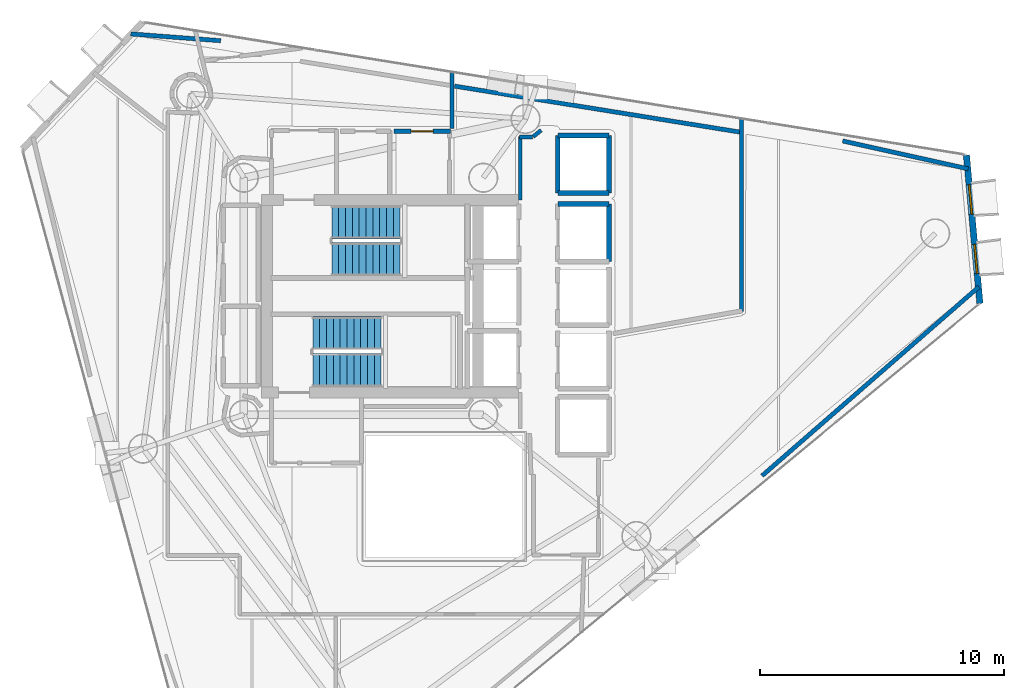
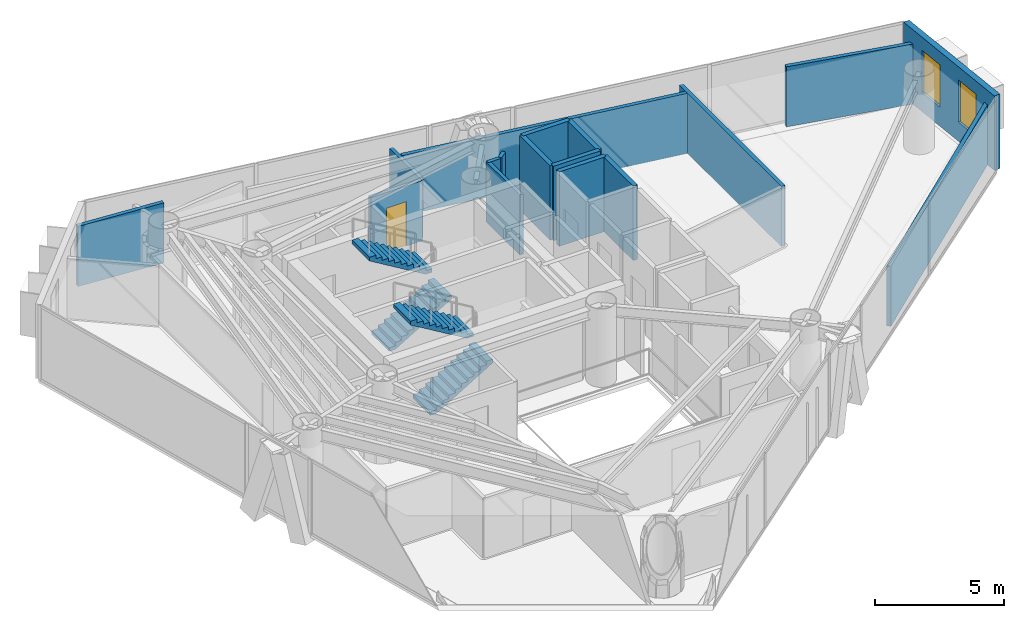
# One storey, part 18 of 21: 17 walls, 4 stair flights, 2 windows, 1 door, 3 openings, 2 elements without a shape of their own.
"""IFC4 building model written with IfcOpenShell, lengths in metres."""

from ifc_helpers import new_model, si_unit, direction, frame, frame_2d, origin, place, context, subcontext, project, spatial, polyline, rectangle, outline, extrude, material, layer, layer_set, type_object, element, fill, aggregate, save


model = new_model("IFC4")

# Units and contexts
model_context = context("Model", 3, precision=1e-05, world=origin(), true_north=direction((0.0, 1.0)))
body_context = subcontext(model_context, "Body", "Model", "MODEL_VIEW")
ifc_project = project(units=[si_unit("LENGTHUNIT", "METRE"), si_unit("AREAUNIT", "SQUARE_METRE"), si_unit("VOLUMEUNIT", "CUBIC_METRE"), si_unit("PLANEANGLEUNIT", "RADIAN"), si_unit("MASSUNIT", "GRAM", prefix="KILO")], contexts=[model_context])

# Site, building, storey
site_placement = place(None, origin())
site = spatial("IfcSite", under=ifc_project, at=site_placement, CompositionType="ELEMENT")
building_placement = place(site_placement, origin())
building = spatial("IfcBuilding", under=site, at=building_placement, Name="Qianvela Tower", CompositionType="ELEMENT")
storey_placement = place(building_placement, frame((0.0, 0.0, 211.39990234375)))
storey = spatial("IfcBuildingStorey", under=building, at=storey_placement, Name="L54", CompositionType="ELEMENT", Elevation=211.39990234375)

# Wall, openings, windows
ifc_material_1 = material(Name="Terracotta Cladding on Concrete C40", Category="masonry")
ifc_layer_1 = layer(ifc_material_1, 0.260009765625)
ifc_layer_set_1 = layer_set([ifc_layer_1], Name="Terracotta Cladding on Concrete C40")
wall_type_1 = type_object("IfcWallType", Name="TERRACOTTA-WALL-260", PredefinedType="SOLIDWALL", material=ifc_layer_set_1)
wall_1_placement = place(storey_placement, frame((58.729248046875, 28.405029296875, 0.0), z_axis=(0.0, 0.0, 1.0), x_axis=(-0.090211111085, 0.99592266539, 0.0)))
wall_1 = element("IfcWall", 1, at=wall_1_placement, inside=storey, type_object=wall_type_1, Name="L54 Terracotta Chamfer Facet Wall 1", PredefinedType="SOLIDWALL", context=body_context, shape_type="SweptSolid", body=[
    extrude(rectangle(XDim=6.102783203125, YDim=0.260009765625, at=frame_2d((3.05126953125, 0.0))), origin(), (0.0, 0.0, 1.0), 3.52001953125),
])
opening_1_placement = place(wall_1_placement, frame((1.230712890625, 0.0, 0.89990234375)))
opening_1 = element("IfcOpeningElement", 2, at=opening_1_placement, cuts=wall_1, Name="Opening W-03", PredefinedType="OPENING", context=body_context, shape_type="SweptSolid", body=[
    extrude(rectangle(XDim=1.199951171875, YDim=2.0, at=frame_2d((0.60009765625, 1.0))), frame((0.0, 0.139892578125, 0.0), z_axis=(0.0, -1.0, 0.0), x_axis=(1.0, 0.0, 0.0)), (0.0, 0.0, 1.0), 0.280029296875),
])
opening_2_placement = place(wall_1_placement, frame((3.672119140625, 0.0, 0.89990234375)))
opening_2 = element("IfcOpeningElement", 3, at=opening_2_placement, cuts=wall_1, Name="Opening W-03", PredefinedType="OPENING", context=body_context, shape_type="SweptSolid", body=[
    extrude(rectangle(XDim=1.199951171875, YDim=2.0, at=frame_2d((0.60009765625, 1.0))), frame((0.0, 0.139892578125, 0.0), z_axis=(0.0, -1.0, 0.0), x_axis=(1.0, 0.0, 0.0)), (0.0, 0.0, 1.0), 0.280029296875),
])
ifc_material_2 = material(Name="Thermally Broken Aluminium and Low-E Glass", Category="aluminium")
window_type = type_object("IfcWindowType", Name="WIN-TC-1200x2000", PartitioningType="SINGLE_PANEL", PredefinedType="WINDOW", material=ifc_material_2)
window_1_placement = place(opening_1_placement, origin())
window_1 = element("IfcWindow", 4, at=window_1_placement, inside=storey, type_object=window_type, Name="L54 Chamfer Facet Window 1.1", OverallHeight=2.0, OverallWidth=1.199951171875, PartitioningType="SINGLE_PANEL", PredefinedType="WINDOW", context=body_context, shape_type="SweptSolid", body=[
    extrude(rectangle(XDim=1.199951171875, YDim=2.0, at=frame_2d((0.60009765625, 1.0))), frame((0.0, 0.030029296875, 0.0), z_axis=(0.0, -1.0, 0.0), x_axis=(1.0, 0.0, 0.0)), (0.0, 0.0, 1.0), 0.06005859375),
])
fill(opening_1, window_1)
window_2_placement = place(opening_2_placement, origin())
window_2 = element("IfcWindow", 5, at=window_2_placement, inside=storey, type_object=window_type, Name="L54 Chamfer Facet Window 1.2", OverallHeight=2.0, OverallWidth=1.199951171875, PartitioningType="SINGLE_PANEL", PredefinedType="WINDOW", context=body_context, shape_type="SweptSolid", body=[
    extrude(rectangle(XDim=1.199951171875, YDim=2.0, at=frame_2d((0.60009765625, 1.0))), frame((0.0, 0.030029296875, 0.0), z_axis=(0.0, -1.0, 0.0), x_axis=(1.0, 0.0, 0.0)), (0.0, 0.0, 1.0), 0.06005859375),
])
fill(opening_2, window_2)

# Walls
ifc_material_3 = material(Name="Fire-Rated Gypsum and Concrete Block", Category="concrete")
ifc_layer_2 = layer(ifc_material_3, 0.159912109375)
ifc_layer_set_2 = layer_set([ifc_layer_2], Name="Fire-Rated Gypsum and Concrete Block")
wall_type_2 = type_object("IfcWallType", Name="WT-CORR-160", PredefinedType="PARTITIONING", material=ifc_layer_set_2)
wall_2_placement = place(storey_placement, frame((39.910888671875, 32.639892578125, 0.0), z_axis=(0.0, 0.0, 1.0), x_axis=(0.0, 1.0, 0.0)))
element("IfcWall", 6, at=wall_2_placement, inside=storey, type_object=wall_type_2, Name="L54 Partition 12", PredefinedType="PARTITIONING", context=body_context, shape_type="SweptSolid", body=[
    extrude(rectangle(XDim=2.60400390625, YDim=0.159912109375, at=frame_2d((1.302001953125, 0.0))), origin(), (0.0, 0.0, 1.0), 2.840087890625),
])
wall_3_placement = place(storey_placement, frame((39.880615234375, 35.212890625, 0.0), z_axis=(0.0, 0.0, 1.0), x_axis=(0.999756500784, 0.02206669754, 0.0)))
element("IfcWall", 7, at=wall_3_placement, inside=storey, type_object=wall_type_2, Name="L54 Partition 13", PredefinedType="PARTITIONING", context=body_context, shape_type="SweptSolid", body=[
    extrude(rectangle(XDim=0.542236328125, YDim=0.159912109375, at=frame_2d((0.27099609375, 0.0))), origin(), (0.0, 0.0, 1.0), 2.840087890625),
])
wall_4_placement = place(storey_placement, frame((40.44140625, 35.231689453125, 0.0), z_axis=(0.0, 0.0, 1.0), x_axis=(0.778714564707, 0.627378376033, 0.0)))
element("IfcWall", 8, at=wall_4_placement, inside=storey, type_object=wall_type_2, Name="L54 Partition 14", PredefinedType="PARTITIONING", context=body_context, shape_type="SweptSolid", body=[
    extrude(rectangle(XDim=0.421142578125, YDim=0.159912109375, at=frame_2d((0.21044921875, 0.0))), origin(), (0.0, 0.0, 1.0), 2.840087890625),
])
wall_5_placement = place(storey_placement, frame((37.118896484375, 37.89599609375, 0.0), z_axis=(0.0, 0.0, 1.0), x_axis=(0.0, -1.0, 0.0)))
element("IfcWall", 9, at=wall_5_placement, inside=storey, type_object=wall_type_2, Name="L54 Partition 57 seg 1", PredefinedType="PARTITIONING", context=body_context, shape_type="SweptSolid", body=[
    extrude(rectangle(XDim=2.3359375, YDim=0.159912109375, at=frame_2d((1.16796875, 0.0))), origin(), (0.0, 0.0, 1.0), 2.840087890625),
])

# Wall, opening, door
ifc_material_4 = material(Name="Moisture-Resistant Acoustic Plumbing Wall")
ifc_layer_3 = layer(ifc_material_4, 0.175048828125)
ifc_layer_set_3 = layer_set([ifc_layer_3], Name="Moisture-Resistant Acoustic Plumbing Wall")
wall_type_3 = type_object("IfcWallType", Name="WT-PLUMB-175", PredefinedType="PLUMBINGWALL", material=ifc_layer_set_3)
wall_6_placement = place(storey_placement, frame((34.75, 35.448974609375, 0.0), z_axis=(0.0, 0.0, 1.0), x_axis=(1.0, 0.0, 0.0)))
wall_6 = element("IfcWall", 10, at=wall_6_placement, inside=storey, type_object=wall_type_3, Name="L54 Partition 26", PredefinedType="PLUMBINGWALL", context=body_context, shape_type="SweptSolid", body=[
    extrude(rectangle(XDim=2.300048828125, YDim=0.175048828125, at=frame_2d((1.14990234375, 0.0))), origin(), (0.0, 0.0, 1.0), 2.840087890625),
])
opening_3_placement = place(wall_6_placement, frame((0.699951171875, 0.0, 0.0)))
opening_3 = element("IfcOpeningElement", 11, at=opening_3_placement, cuts=wall_6, Name="Opening D-KT1", PredefinedType="OPENING", context=body_context, shape_type="SweptSolid", body=[
    extrude(rectangle(XDim=0.89990234375, YDim=2.10009765625, at=frame_2d((0.449951171875, 1.050048828125))), frame((0.0, 0.097412109375, 0.0), z_axis=(0.0, -1.0, 0.0), x_axis=(1.0, 0.0, 0.0)), (0.0, 0.0, 1.0), 0.195068359375),
])
ifc_material_5 = material(Name="Glazed Timber Kitchen Door", Category="wood")
door_type = type_object("IfcDoorType", Name="DT-KITCH-900", OperationType="NOTDEFINED", PredefinedType="DOOR", material=ifc_material_5)
door_placement = place(opening_3_placement, origin())
door = element("IfcDoor", 12, at=door_placement, inside=storey, type_object=door_type, Name="L54 Door L54 Core Tea Pantry to L54 Floor Corridor", OperationType="SINGLE_SWING_RIGHT", OverallHeight=2.10009765625, OverallWidth=0.89990234375, PredefinedType="DOOR", context=body_context, shape_type="SweptSolid", body=[
    extrude(rectangle(XDim=0.89990234375, YDim=2.10009765625, at=frame_2d((0.449951171875, 1.050048828125))), frame((0.0, 0.02490234375, 0.0), z_axis=(0.0, -1.0, 0.0), x_axis=(1.0, 0.0, 0.0)), (0.0, 0.0, 1.0), 0.050048828125),
])
fill(opening_3, door)

# Walls
wall_7_placement = place(storey_placement, frame((37.22509765625, 37.30078125, 0.0), z_axis=(0.0, 0.0, 1.0), x_axis=(0.987268097612, -0.159065091827, 0.0)))
element("IfcWall", 13, at=wall_7_placement, inside=storey, type_object=wall_type_3, Name="L54 Partition 113 seg 1", PredefinedType="PLUMBINGWALL", context=body_context, shape_type="SweptSolid", body=[
    extrude(rectangle(XDim=11.92578125, YDim=0.175048828125, at=frame_2d((5.962890625, 0.0))), origin(), (0.0, 0.0, 1.0), 2.840087890625),
])
wall_8_placement = place(storey_placement, frame((48.972900390625, 35.986083984375, 0.0), z_axis=(0.0, 0.0, 1.0), x_axis=(0.0, -1.0, 0.0)))
element("IfcWall", 14, at=wall_8_placement, inside=storey, type_object=wall_type_3, Name="L54 Partition 114", PredefinedType="PLUMBINGWALL", context=body_context, shape_type="SweptSolid", body=[
    extrude(rectangle(XDim=7.9150390625, YDim=0.175048828125, at=frame_2d((3.95751953125, 0.0))), origin(), (0.0, 0.0, 1.0), 2.840087890625),
])
wall_9_placement = place(storey_placement, frame((23.9677734375, 39.43701171875, 0.0), z_axis=(0.0, 0.0, 1.0), x_axis=(0.997153162086, -0.075402727678, 0.0)))
element("IfcWall", 15, at=wall_9_placement, inside=storey, type_object=wall_type_3, Name="L54 Partition 126 seg 1", PredefinedType="PLUMBINGWALL", context=body_context, shape_type="SweptSolid", body=[
    extrude(rectangle(XDim=3.6943359375, YDim=0.175048828125, at=frame_2d((1.84716796875, 0.0))), origin(), (0.0, 0.0, 1.0), 2.840087890625),
])
wall_10_placement = place(storey_placement, frame((53.1123046875, 35.05615234375, 0.0), z_axis=(0.0, 0.0, 1.0), x_axis=(0.97614010372, -0.217141654019, 0.0)))
element("IfcWall", 16, at=wall_10_placement, inside=storey, type_object=wall_type_3, Name="L54 Partition 135 seg 1", PredefinedType="PLUMBINGWALL", context=body_context, shape_type="SweptSolid", body=[
    extrude(rectangle(XDim=5.262939453125, YDim=0.175048828125, at=frame_2d((2.63134765625, 0.0))), origin(), (0.0, 0.0, 1.0), 2.840087890625),
])
wall_11_placement = place(storey_placement, frame((58.6845703125, 29.08251953125, 0.0), z_axis=(0.0, 0.0, 1.0), x_axis=(-0.753948689731, -0.656933309593, 0.0)))
element("IfcWall", 17, at=wall_11_placement, inside=storey, type_object=wall_type_3, Name="L54 Partition 137 seg 1", PredefinedType="PLUMBINGWALL", context=body_context, shape_type="SweptSolid", body=[
    extrude(rectangle(XDim=11.769775390625, YDim=0.175048828125, at=frame_2d((5.884765625, 0.0))), origin(), (0.0, 0.0, 1.0), 2.840087890625),
])
ifc_material_6 = material(Name="Concrete C50", Category="concrete")
ifc_layer_4 = layer(ifc_material_6, 0.199951171875)
ifc_layer_set_4 = layer_set([ifc_layer_4], Name="Concrete C50")
wall_type_4 = type_object("IfcWallType", Name="WT-SHAFT-200", PredefinedType="SOLIDWALL", material=ifc_layer_set_4)
wall_12_placement = place(storey_placement, frame((43.550048828125, 30.1201171875, 0.0), z_axis=(0.0, 0.0, 1.0), x_axis=(0.0, 1.0, 0.0)))
element("IfcWall", 18, at=wall_12_placement, inside=storey, type_object=wall_type_4, Name="L54 Lift PL-M1 E Shaft Wall", PredefinedType="SOLIDWALL", context=body_context, shape_type="SweptSolid", body=[
    extrude(rectangle(XDim=2.35986328125, YDim=0.199951171875, at=frame_2d((1.179931640625, 0.0))), origin(), (0.0, 0.0, 1.0), 3.52001953125),
])
wall_13_placement = place(storey_placement, frame((41.449951171875, 32.47998046875, 0.0), z_axis=(0.0, 0.0, 1.0), x_axis=(1.0, 0.0, 0.0)))
element("IfcWall", 19, at=wall_13_placement, inside=storey, type_object=wall_type_4, Name="L54 Lift PL-M1 N Shaft Wall", PredefinedType="SOLIDWALL", context=body_context, shape_type="SweptSolid", body=[
    extrude(rectangle(XDim=2.10009765625, YDim=0.199951171875, at=frame_2d((1.050048828125, 0.0))), origin(), (0.0, 0.0, 1.0), 3.52001953125),
])
for number, where, z_axis, x_axis, name in (
    (20, (43.550048828125, 32.919921875, 0.0), (0.0, 0.0, 1.0), (0.0, 1.0, 0.0), "L54 Lift PL-H3 E Shaft Wall"),
    (21, (41.449951171875, 32.919921875, 0.0), (0.0, 0.0, 1.0), (0.0, 1.0, 0.0), "L54 Lift PL-H3 W Shaft Wall"),
):
    element("IfcWall", number, at=place(storey_placement, frame(where, z_axis=z_axis, x_axis=x_axis)), inside=storey, type_object=wall_type_4, Name=name, PredefinedType="SOLIDWALL", context=body_context, shape_type="SweptSolid", body=[
        extrude(rectangle(XDim=2.360107421875, YDim=0.199951171875, at=frame_2d((1.18017578125, 0.0))), origin(), (0.0, 0.0, 1.0), 3.52001953125),
    ])
for number, where, z_axis, x_axis, name in (
    (22, (41.449951171875, 35.280029296875, 0.0), (0.0, 0.0, 1.0), (1.0, 0.0, 0.0), "L54 Lift PL-H3 N Shaft Wall"),
    (23, (41.449951171875, 32.919921875, 0.0), (0.0, 0.0, 1.0), (1.0, 0.0, 0.0), "L54 Lift PL-H3 S Shaft Wall"),
):
    element("IfcWall", number, at=place(storey_placement, frame(where, z_axis=z_axis, x_axis=x_axis)), inside=storey, type_object=wall_type_4, Name=name, PredefinedType="SOLIDWALL", context=body_context, shape_type="SweptSolid", body=[
        extrude(rectangle(XDim=2.10009765625, YDim=0.199951171875, at=frame_2d((1.050048828125, 0.0))), origin(), (0.0, 0.0, 1.0), 3.52001953125),
    ])

# Stair, stair flights
ifc_material_7 = material(Name="Concrete C40", Category="concrete")
stair_type = type_object("IfcStairType", Name="ST-DOGLEG-1350-R168-N22", PredefinedType="HALF_TURN_STAIR", material=ifc_material_7)
stair_1_placement = place(storey_placement, origin())
stair_1 = element("IfcStair", 24, at=stair_1_placement, inside=storey, type_object=stair_type, Name="L54 Smoke-Proof Core Stair ST-1", PredefinedType="HALF_TURN_STAIR")
ifc_material_8 = material(Name="Concrete C40", Category="concrete")
stair_flight_type = type_object("IfcStairFlightType", Name="STF-STRAIGHT-R168-P11", PredefinedType="STRAIGHT", material=ifc_material_8)
stair_flight_1_placement = place(storey_placement, frame((32.199951171875, 30.215087890625, 0.0), z_axis=(0.0, 0.0, 1.0), x_axis=(1.0, 0.0, 0.0)))
stair_flight_1 = element("IfcStairFlight", 25, at=stair_flight_1_placement, type_object=stair_flight_type, Name="ST-1 flight 1", NumberOfRisers=11, NumberOfTreads=10, PredefinedType="STRAIGHT", RiserHeight=0.168181818, TreadLength=0.28, context=body_context, shape_type="SweptSolid", body=[
    extrude(outline(polyline([(0.0, 0.0), (0.0, 0.168212890625), (0.280029296875, 0.168212890625), (0.280029296875, 0.33642578125), (0.56005859375, 0.33642578125), (0.56005859375, 0.504638671875), (0.840087890625, 0.504638671875), (0.840087890625, 0.672607421875), (1.1201171875, 0.672607421875), (1.1201171875, 0.8408203125), (1.39990234375, 0.8408203125), (1.39990234375, 1.009033203125), (1.679931640625, 1.009033203125), (1.679931640625, 1.17724609375), (1.9599609375, 1.17724609375), (1.9599609375, 1.345458984375), (2.239990234375, 1.345458984375), (2.239990234375, 1.513671875), (2.52001953125, 1.513671875), (2.52001953125, 1.681884765625), (2.800048828125, 1.681884765625), (2.800048828125, 1.85009765625), (2.800048828125, 1.5068359375), (0.291015625, 0.0), (0.0, 0.0)])), frame((0.0, 0.675048828125, 0.0), z_axis=(0.0, -1.0, 0.0), x_axis=(1.0, 0.0, 0.0)), (0.0, 0.0, 1.0), 1.35009765625),
])
stair_flight_2_placement = place(storey_placement, frame((35.0, 31.72509765625, 1.85009765625), z_axis=(0.0, 0.0, 1.0), x_axis=(-1.0, 0.0, 0.0)))
stair_flight_2 = element("IfcStairFlight", 26, at=stair_flight_2_placement, type_object=stair_flight_type, Name="ST-1 flight 2", NumberOfRisers=11, NumberOfTreads=10, PredefinedType="STRAIGHT", RiserHeight=0.168181818, TreadLength=0.28, context=body_context, shape_type="SweptSolid", body=[
    extrude(outline(polyline([(0.0, 0.0), (0.0, 0.168212890625), (0.280029296875, 0.168212890625), (0.280029296875, 0.33642578125), (0.56005859375, 0.33642578125), (0.56005859375, 0.504638671875), (0.840087890625, 0.504638671875), (0.840087890625, 0.672607421875), (1.1201171875, 0.672607421875), (1.1201171875, 0.8408203125), (1.39990234375, 0.8408203125), (1.39990234375, 1.009033203125), (1.679931640625, 1.009033203125), (1.679931640625, 1.17724609375), (1.9599609375, 1.17724609375), (1.9599609375, 1.345458984375), (2.239990234375, 1.345458984375), (2.239990234375, 1.513671875), (2.52001953125, 1.513671875), (2.52001953125, 1.681884765625), (2.800048828125, 1.681884765625), (2.800048828125, 1.85009765625), (2.800048828125, 1.5068359375), (0.291015625, 0.0), (0.0, 0.0)])), frame((0.0, 0.675048828125, 0.0), z_axis=(0.0, -1.0, 0.0), x_axis=(1.0, 0.0, 0.0)), (0.0, 0.0, 1.0), 1.35009765625),
])
aggregate(stair_1, [stair_flight_1, stair_flight_2])

stair_2_placement = place(storey_placement, origin())
stair_2 = element("IfcStair", 27, at=stair_2_placement, inside=storey, type_object=stair_type, Name="L54 Smoke-Proof Core Stair ST-2", PredefinedType="HALF_TURN_STAIR")
stair_flight_3_placement = place(storey_placement, frame((31.419921875, 25.675048828125, 0.0), z_axis=(0.0, 0.0, 1.0), x_axis=(1.0, 0.0, 0.0)))
stair_flight_3 = element("IfcStairFlight", 28, at=stair_flight_3_placement, type_object=stair_flight_type, Name="ST-2 flight 1", NumberOfRisers=11, NumberOfTreads=10, PredefinedType="STRAIGHT", RiserHeight=0.168181818, TreadLength=0.28, context=body_context, shape_type="SweptSolid", body=[
    extrude(outline(polyline([(0.0, 0.0), (0.0, 0.168212890625), (0.280029296875, 0.168212890625), (0.280029296875, 0.33642578125), (0.56005859375, 0.33642578125), (0.56005859375, 0.504638671875), (0.840087890625, 0.504638671875), (0.840087890625, 0.672607421875), (1.1201171875, 0.672607421875), (1.1201171875, 0.8408203125), (1.39990234375, 0.8408203125), (1.39990234375, 1.009033203125), (1.679931640625, 1.009033203125), (1.679931640625, 1.17724609375), (1.9599609375, 1.17724609375), (1.9599609375, 1.345458984375), (2.239990234375, 1.345458984375), (2.239990234375, 1.513671875), (2.52001953125, 1.513671875), (2.52001953125, 1.681884765625), (2.800048828125, 1.681884765625), (2.800048828125, 1.85009765625), (2.800048828125, 1.5068359375), (0.291015625, 0.0), (0.0, 0.0)])), frame((0.0, 0.675048828125, 0.0), z_axis=(0.0, -1.0, 0.0), x_axis=(1.0, 0.0, 0.0)), (0.0, 0.0, 1.0), 1.35009765625),
])
stair_flight_4_placement = place(storey_placement, frame((34.219970703125, 27.18505859375, 1.85009765625), z_axis=(0.0, 0.0, 1.0), x_axis=(-1.0, 0.0, 0.0)))
stair_flight_4 = element("IfcStairFlight", 29, at=stair_flight_4_placement, type_object=stair_flight_type, Name="ST-2 flight 2", NumberOfRisers=11, NumberOfTreads=10, PredefinedType="STRAIGHT", RiserHeight=0.168181818, TreadLength=0.28, context=body_context, shape_type="SweptSolid", body=[
    extrude(outline(polyline([(0.0, 0.0), (0.0, 0.168212890625), (0.280029296875, 0.168212890625), (0.280029296875, 0.33642578125), (0.56005859375, 0.33642578125), (0.56005859375, 0.504638671875), (0.840087890625, 0.504638671875), (0.840087890625, 0.672607421875), (1.1201171875, 0.672607421875), (1.1201171875, 0.8408203125), (1.39990234375, 0.8408203125), (1.39990234375, 1.009033203125), (1.679931640625, 1.009033203125), (1.679931640625, 1.17724609375), (1.9599609375, 1.17724609375), (1.9599609375, 1.345458984375), (2.239990234375, 1.345458984375), (2.239990234375, 1.513671875), (2.52001953125, 1.513671875), (2.52001953125, 1.681884765625), (2.800048828125, 1.681884765625), (2.800048828125, 1.85009765625), (2.800048828125, 1.5068359375), (0.291015625, 0.0), (0.0, 0.0)])), frame((0.0, 0.675048828125, 0.0), z_axis=(0.0, -1.0, 0.0), x_axis=(1.0, 0.0, 0.0)), (0.0, 0.0, 1.0), 1.35009765625),
])
aggregate(stair_2, [stair_flight_3, stair_flight_4])

save(model, "model.ifc")
